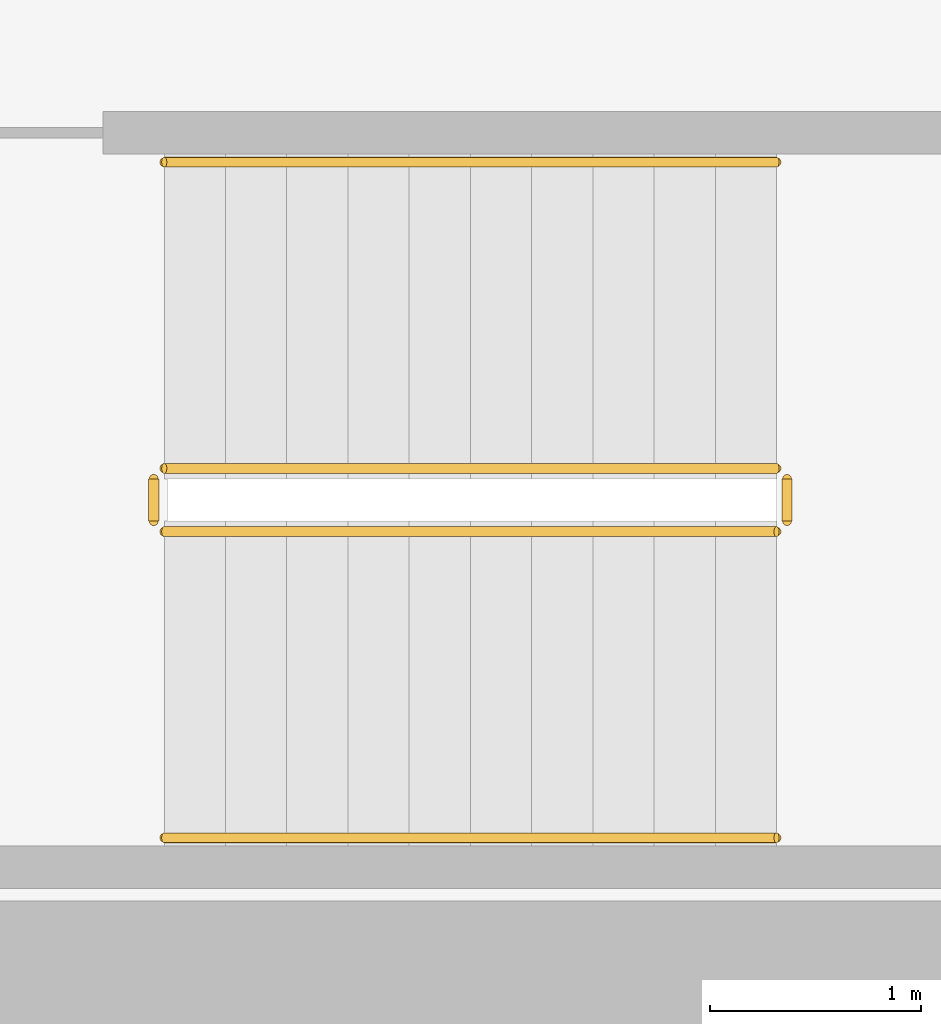
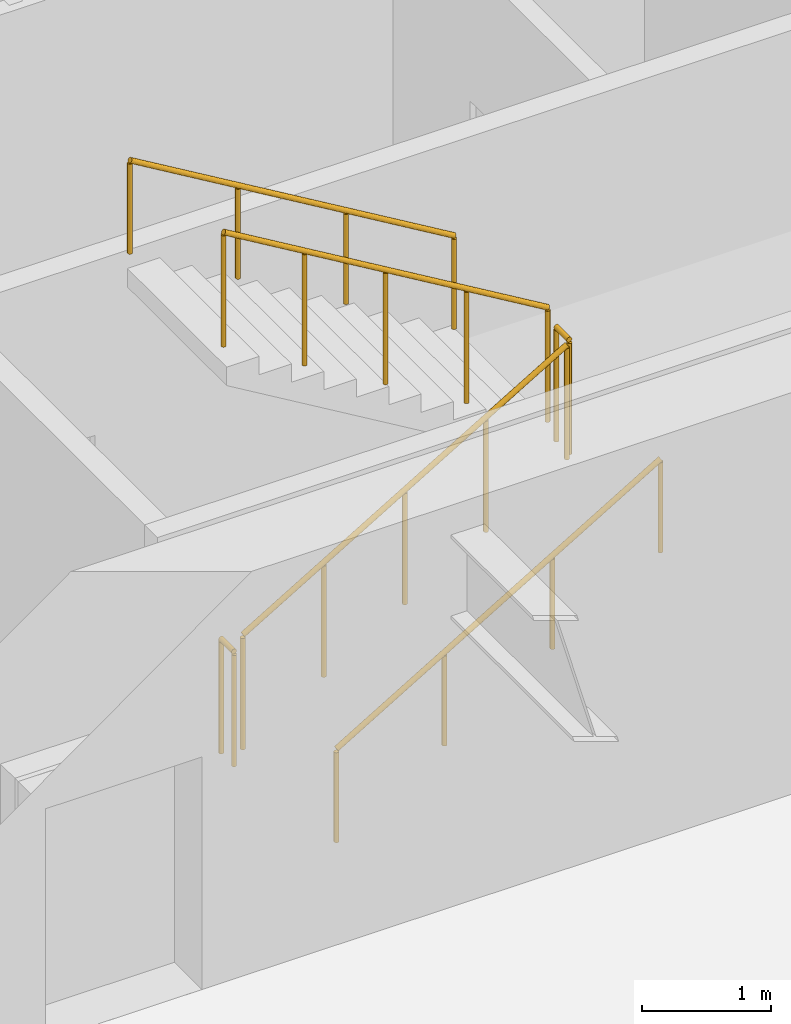
# One storey, part 19 of 20: 6 railings.
"""IFC4 building model written with IfcOpenShell, lengths in metres."""

from ifc_helpers import new_model, si_unit, direction, frame, origin, origin_2d, place, context, subcontext, project, spatial, circle, extrude, material, type_object, element, save


model = new_model("IFC4")

# Units and contexts
model_context = context("Model", 3, precision=1e-05, world=origin(), true_north=direction((0.0, 1.0)))
body_context = subcontext(model_context, "Body", "Model", "MODEL_VIEW")
ifc_project = project(units=[si_unit("LENGTHUNIT", "METRE"), si_unit("AREAUNIT", "SQUARE_METRE"), si_unit("VOLUMEUNIT", "CUBIC_METRE"), si_unit("PLANEANGLEUNIT", "RADIAN"), si_unit("MASSUNIT", "GRAM", prefix="KILO")], contexts=[model_context])

# Site, building, storey
site_placement = place(None, origin())
site = spatial("IfcSite", under=ifc_project, at=site_placement, CompositionType="ELEMENT")
building_placement = place(site_placement, origin())
building = spatial("IfcBuilding", under=site, at=building_placement, Name="Putna Gate Headquarters", CompositionType="ELEMENT")
storey_placement = place(building_placement, frame((0.0, 0.0, 135.39990234375)))
storey = spatial("IfcBuildingStorey", under=building, at=storey_placement, Name="L33", CompositionType="ELEMENT", Elevation=135.39990234375)

# Railings
ifc_material_1 = material(Name="Powder-coated steel stair guardrail", Category="steel")
railing_type_1 = type_object("IfcRailingType", Name="RAIL-STAIR-GUARD-1100", PredefinedType="GUARDRAIL", material=ifc_material_1)
railing_1_placement = place(storey_placement, frame((57.89990234375, 21.10009765625, 0.1728515625)))
element("IfcRailing", 1, at=railing_1_placement, inside=storey, type_object=railing_type_1, Name="L33 ST2 stair guard 1", PredefinedType="GUARDRAIL", context=body_context, shape_type="SweptSolid", body=[
    extrude(circle(Radius=0.02392578125, at=origin_2d()), frame((0.0, 0.0, 1.076171875), z_axis=(0.859160404282, 0.0, 0.51170636083), x_axis=(0.0, 1.0, 0.0)), (0.0, 0.0, 1.0), 3.37548828125),
    extrude(circle(Radius=0.02099609375, at=origin_2d()), origin(), (0.0, 0.0, 1.0), 1.052001953125),
    extrude(circle(Radius=0.02099609375, at=origin_2d()), frame((0.72509765625, 0.0, 0.431884765625)), (0.0, 0.0, 1.0), 1.052001953125),
    extrude(circle(Radius=0.02099609375, at=origin_2d()), frame((1.4501953125, 0.0, 0.86376953125)), (0.0, 0.0, 1.0), 1.052001953125),
    extrude(circle(Radius=0.02099609375, at=origin_2d()), frame((2.175048828125, 0.0, 1.29541015625)), (0.0, 0.0, 1.0), 1.052001953125),
    extrude(circle(Radius=0.02099609375, at=origin_2d()), frame((2.900146484375, 0.0, 1.727294921875)), (0.0, 0.0, 1.0), 1.052001953125),
])
railing_2_placement = place(storey_placement, frame((60.85009765625, 21.14990234375, 1.900146484375)))
element("IfcRailing", 2, at=railing_2_placement, inside=storey, type_object=railing_type_1, Name="L33 ST2 stair guard 2", PredefinedType="GUARDRAIL", context=body_context, shape_type="SweptSolid", body=[
    extrude(circle(Radius=0.02392578125, at=origin_2d()), frame((0.0, 0.0, 1.076171875), z_axis=(0.0, 1.0, 0.0), x_axis=(-1.0, 0.0, 0.0)), (0.0, 0.0, 1.0), 0.2001953125),
    extrude(circle(Radius=0.02099609375, at=origin_2d()), origin(), (0.0, 0.0, 1.0), 1.052001953125),
    extrude(circle(Radius=0.02099609375, at=origin_2d()), frame((0.0, 0.2001953125, 0.0)), (0.0, 0.0, 1.0), 1.052001953125),
])
railing_3_placement = place(storey_placement, frame((60.800048828125, 21.39990234375, 2.07275390625)))
element("IfcRailing", 3, at=railing_3_placement, inside=storey, type_object=railing_type_1, Name="L33 ST2 stair guard 3", PredefinedType="GUARDRAIL", context=body_context, shape_type="SweptSolid", body=[
    extrude(circle(Radius=0.02392578125, at=origin_2d()), frame((0.0, 0.0, 1.076171875), z_axis=(-0.859160404282, 0.0, 0.51170636083), x_axis=(0.0, -1.0, 0.0)), (0.0, 0.0, 1.0), 3.37548828125),
    extrude(circle(Radius=0.02099609375, at=origin_2d()), origin(), (0.0, 0.0, 1.0), 1.052001953125),
    extrude(circle(Radius=0.02099609375, at=origin_2d()), frame((-0.72509765625, 0.0, 0.431884765625)), (0.0, 0.0, 1.0), 1.052001953125),
    extrude(circle(Radius=0.02099609375, at=origin_2d()), frame((-1.4501953125, 0.0, 0.86376953125)), (0.0, 0.0, 1.0), 1.052001953125),
    extrude(circle(Radius=0.02099609375, at=origin_2d()), frame((-2.175048828125, 0.0, 1.29541015625)), (0.0, 0.0, 1.0), 1.052001953125),
    extrude(circle(Radius=0.02099609375, at=origin_2d()), frame((-2.900146484375, 0.0, 1.727294921875)), (0.0, 0.0, 1.0), 1.052001953125),
])
railing_4_placement = place(storey_placement, frame((57.85009765625, 21.14990234375, 0.0)))
element("IfcRailing", 4, at=railing_4_placement, inside=storey, type_object=railing_type_1, Name="L33 ST2 stair guard 4", PredefinedType="GUARDRAIL", context=body_context, shape_type="SweptSolid", body=[
    extrude(circle(Radius=0.02392578125, at=origin_2d()), frame((0.0, 0.0, 1.076171875), z_axis=(0.0, 1.0, 0.0), x_axis=(-1.0, 0.0, 0.0)), (0.0, 0.0, 1.0), 0.2001953125),
    extrude(circle(Radius=0.02099609375, at=origin_2d()), origin(), (0.0, 0.0, 1.0), 1.052001953125),
    extrude(circle(Radius=0.02099609375, at=origin_2d()), frame((0.0, 0.2001953125, 0.0)), (0.0, 0.0, 1.0), 1.052001953125),
])
ifc_material_2 = material(Name="Brushed stainless steel handrail", Category="steel")
railing_type_2 = type_object("IfcRailingType", Name="RAIL-STAIR-HAND-900", PredefinedType="HANDRAIL", material=ifc_material_2)
railing_5_placement = place(storey_placement, frame((57.89990234375, 19.64990234375, 0.1728515625)))
element("IfcRailing", 5, at=railing_5_placement, inside=storey, type_object=railing_type_2, Name="L33 ST2 stair handrail 1", PredefinedType="HANDRAIL", context=body_context, shape_type="SweptSolid", body=[
    extrude(circle(Radius=0.02392578125, at=origin_2d()), frame((0.0, 0.0, 0.8759765625), z_axis=(0.859160404282, 0.0, 0.51170636083), x_axis=(0.0, 1.0, 0.0)), (0.0, 0.0, 1.0), 3.37548828125),
    extrude(circle(Radius=0.02099609375, at=origin_2d()), origin(), (0.0, 0.0, 1.0), 0.851806640625),
    extrude(circle(Radius=0.02099609375, at=origin_2d()), frame((0.966796875, 0.0, 0.57568359375)), (0.0, 0.0, 1.0), 0.851806640625),
    extrude(circle(Radius=0.02099609375, at=origin_2d()), frame((1.933349609375, 0.0, 1.151611328125)), (0.0, 0.0, 1.0), 0.851806640625),
    extrude(circle(Radius=0.02099609375, at=origin_2d()), frame((2.900146484375, 0.0, 1.727294921875)), (0.0, 0.0, 1.0), 0.851806640625),
])
railing_6_placement = place(storey_placement, frame((60.800048828125, 22.85009765625, 2.07275390625)))
element("IfcRailing", 6, at=railing_6_placement, inside=storey, type_object=railing_type_2, Name="L33 ST2 stair handrail 2", PredefinedType="HANDRAIL", context=body_context, shape_type="SweptSolid", body=[
    extrude(circle(Radius=0.02392578125, at=origin_2d()), frame((0.0, 0.0, 0.8759765625), z_axis=(-0.859160404282, 0.0, 0.51170636083), x_axis=(0.0, -1.0, 0.0)), (0.0, 0.0, 1.0), 3.37548828125),
    extrude(circle(Radius=0.02099609375, at=origin_2d()), origin(), (0.0, 0.0, 1.0), 0.851806640625),
    extrude(circle(Radius=0.02099609375, at=origin_2d()), frame((-0.966796875, 0.0, 0.57568359375)), (0.0, 0.0, 1.0), 0.851806640625),
    extrude(circle(Radius=0.02099609375, at=origin_2d()), frame((-1.933349609375, 0.0, 1.151611328125)), (0.0, 0.0, 1.0), 0.851806640625),
    extrude(circle(Radius=0.02099609375, at=origin_2d()), frame((-2.900146484375, 0.0, 1.727294921875)), (0.0, 0.0, 1.0), 0.851806640625),
])

save(model, "model.ifc")
